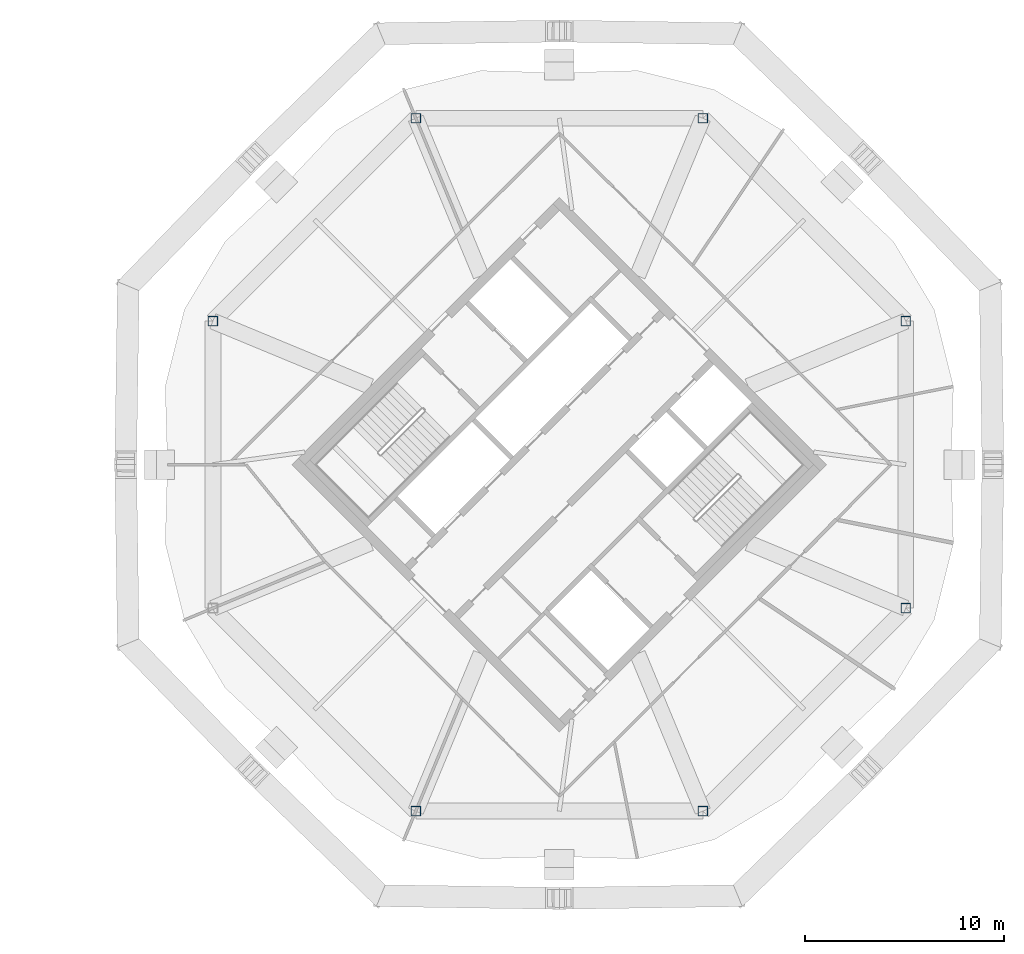
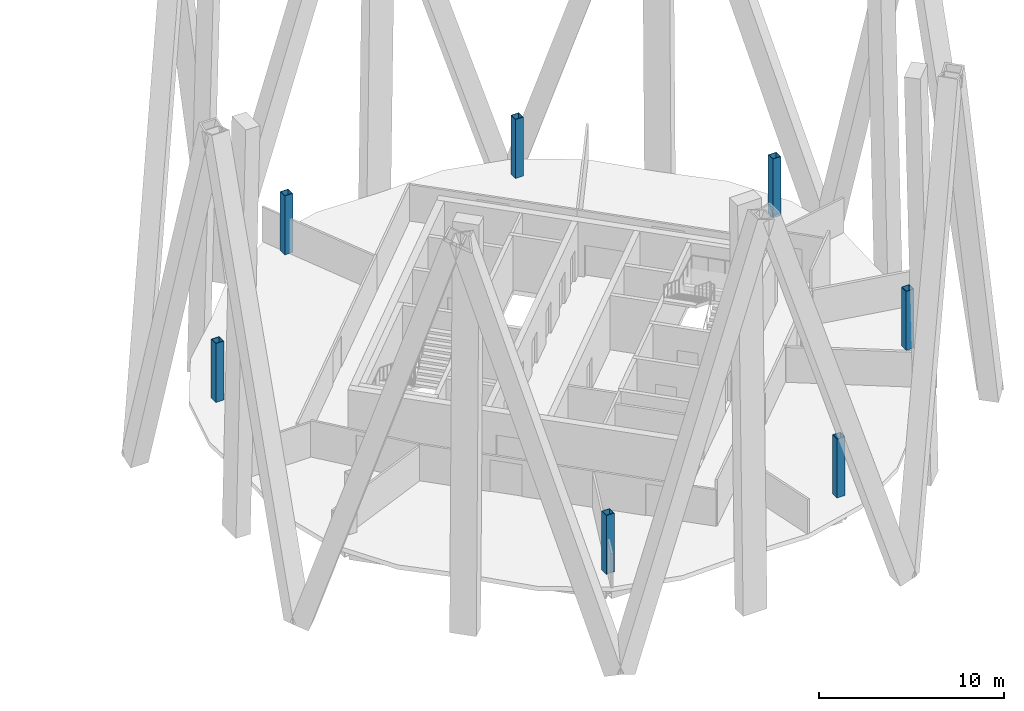
# One storey, part 2 of 11: 7 columns.
"""IFC4 building model written with IfcOpenShell, lengths in metres."""

from ifc_helpers import new_model, si_unit, direction, frame, origin, origin_2d, place, context, subcontext, project, spatial, hollow_rectangle, extrude, material, material_profile, profile_set, type_object, element, save


model = new_model("IFC4")

# Units and contexts
model_context = context("Model", 3, precision=1e-05, world=origin(), true_north=direction((0.0, 1.0)))
body_context = subcontext(model_context, "Body", "Model", "MODEL_VIEW")
ifc_project = project(units=[si_unit("LENGTHUNIT", "METRE"), si_unit("AREAUNIT", "SQUARE_METRE"), si_unit("VOLUMEUNIT", "CUBIC_METRE"), si_unit("PLANEANGLEUNIT", "RADIAN"), si_unit("MASSUNIT", "GRAM", prefix="KILO")], contexts=[model_context])

# Site, building, storey
site_placement = place(None, origin())
site = spatial("IfcSite", under=ifc_project, at=site_placement, CompositionType="ELEMENT")
building_placement = place(site_placement, origin())
building = spatial("IfcBuilding", under=site, at=building_placement, Name="Ogive Gate Towers", CompositionType="ELEMENT")
storey_placement = place(building_placement, frame((0.0, 0.0, 244.5)))
storey = spatial("IfcBuildingStorey", under=building, at=storey_placement, Name="L58", CompositionType="ELEMENT", Elevation=244.5)

# Columns
ifc_material = material(Name="Steel SM460", Category="steel")
ifc_material_profile = material_profile(ifc_material, hollow_rectangle(XDim=0.5, YDim=0.5, WallThickness=0.030029296875, at=origin_2d()), Name="BX 500x500x30")
ifc_profile_set = profile_set([ifc_material_profile], Name="Steel SM460")
column_type = type_object("IfcColumnType", Name="Perimeter post BX 500x500x30", PredefinedType="COLUMN", material=ifc_profile_set)
for number, where, z_axis, x_axis, name in (
    (1, (53.42431640625, 7.217529296875, 0.0), (0.0, 0.0, 1.0), (1.0, 0.0, 0.0), "T2/L58/SCL001"),
    (2, (43.217529296875, 17.42431640625, 0.0), (0.0, 0.0, 1.0), (1.0, 0.0, 0.0), "T2/L58/SCL002"),
    (3, (28.782470703125, 17.42431640625, 0.0), (0.0, 0.0, 1.0), (1.0, 0.0, 0.0), "T2/L58/SCL003"),
    (4, (18.57568359375, 7.217529296875, 0.0), (0.0, 0.0, 1.0), (1.0, 0.0, 0.0), "T2/L58/SCL004"),
    (5, (28.782470703125, -17.42431640625, 0.0), (0.0, 0.0, 1.0), (1.0, 0.0, 0.0), "T2/L58/SCL006"),
    (6, (43.217529296875, -17.42431640625, 0.0), (0.0, 0.0, 1.0), (1.0, 0.0, 0.0), "T2/L58/SCL007"),
    (7, (53.42431640625, -7.217529296875, 0.0), (0.0, 0.0, 1.0), (1.0, 0.0, 0.0), "T2/L58/SCL008"),
):
    element("IfcColumn", number, at=place(storey_placement, frame(where, z_axis=z_axis, x_axis=x_axis)), inside=storey, type_object=column_type, Name=name, PredefinedType="COLUMN", context=body_context, shape_type="SweptSolid", body=[
        extrude(hollow_rectangle(XDim=0.5, YDim=0.5, WallThickness=0.030029296875, at=origin_2d()), origin(), (0.0, 0.0, 1.0), 3.89990234375),
    ])

save(model, "model.ifc")
